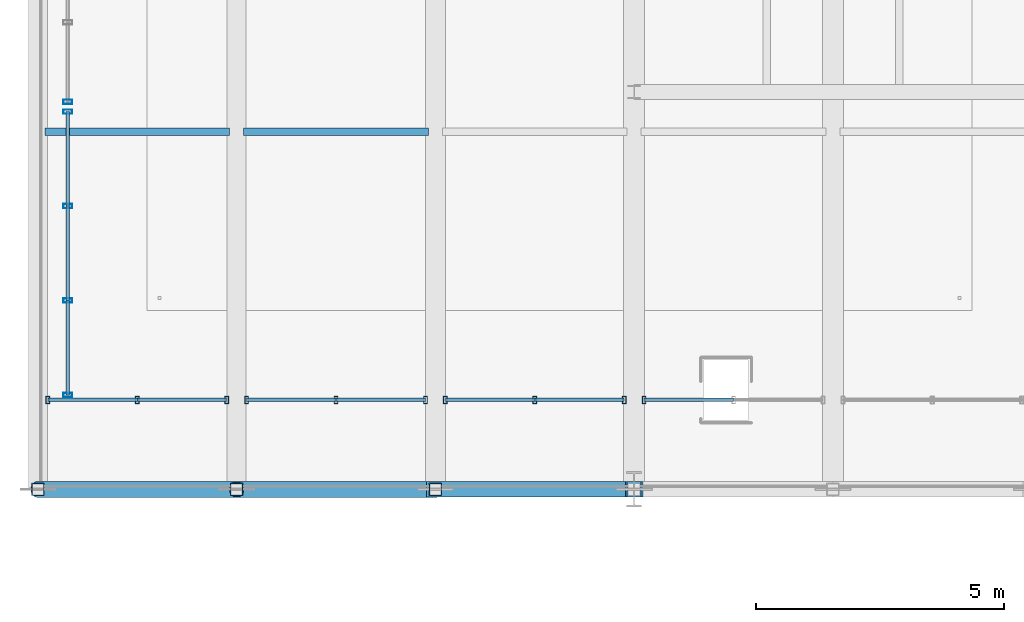
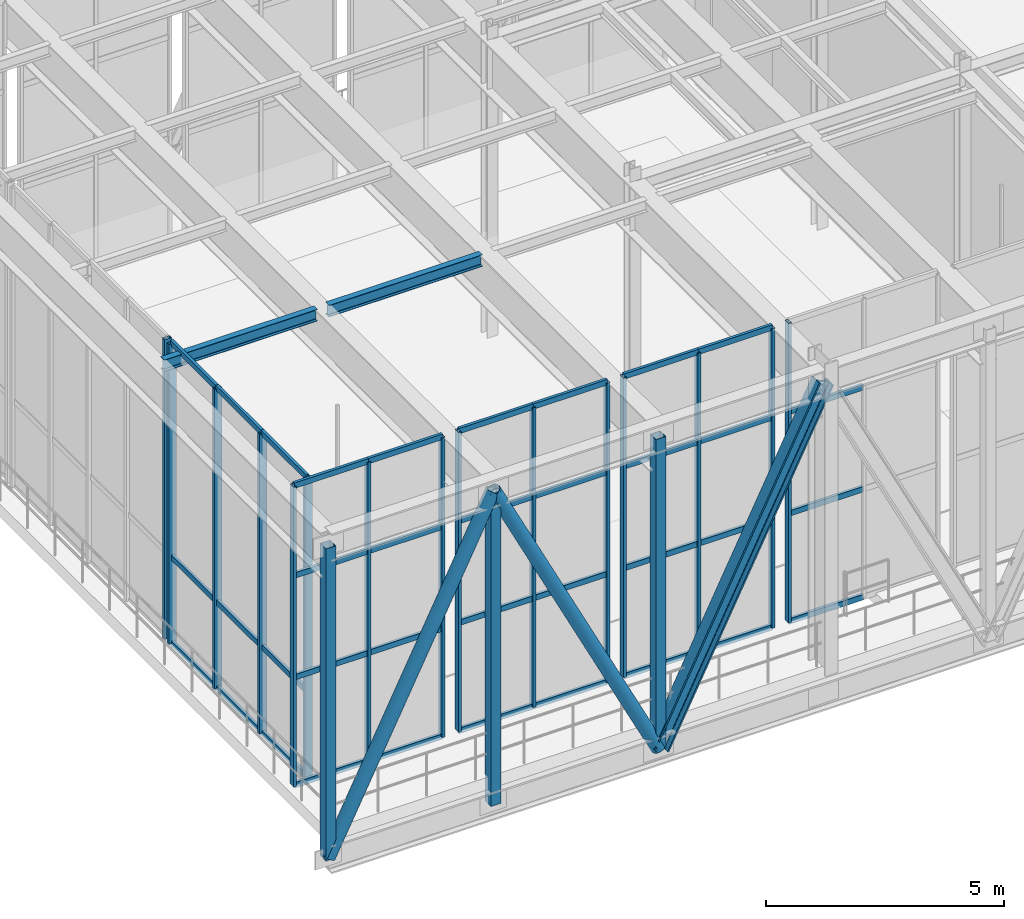
# One storey, part 20 of 138: 57 members, 2 beams, 6 elements without a shape of their own.
"""IFC4 building model written with IfcOpenShell, lengths in metres."""

from ifc_helpers import new_model, si_unit, direction, frame, origin, origin_2d, place, context, subcontext, project, spatial, hollow_rectangle, hollow_circle, i_section, extrude, material, material_profile, profile_set, type_object, element, aggregate, save


model = new_model("IFC4")

# Units and contexts
model_context = context("Model", 3, precision=1e-05, world=origin(), true_north=direction((0.0, 1.0)))
body_context = subcontext(model_context, "Body", "Model", "MODEL_VIEW")
ifc_project = project(units=[si_unit("LENGTHUNIT", "METRE"), si_unit("AREAUNIT", "SQUARE_METRE"), si_unit("VOLUMEUNIT", "CUBIC_METRE"), si_unit("PLANEANGLEUNIT", "RADIAN"), si_unit("MASSUNIT", "GRAM", prefix="KILO")], contexts=[model_context])

# Site, building, storey
site_placement = place(None, origin())
site = spatial("IfcSite", under=ifc_project, at=site_placement, CompositionType="ELEMENT")
building_placement = place(site_placement, origin())
building = spatial("IfcBuilding", under=site, at=building_placement, Name="Sundkrona Museum", CompositionType="ELEMENT")
storey_placement = place(building_placement, frame((0.0, 0.0, 9.60009765625)))
storey = spatial("IfcBuildingStorey", under=building, at=storey_placement, Name="L02", CompositionType="ELEMENT", Elevation=9.60009765625)

# Beams
ifc_material_1 = material(Name="Steel S355J2", Category="steel")
ifc_material_profile_1 = material_profile(ifc_material_1, i_section(OverallWidth=0.14990234375, OverallDepth=0.300048828125, WebThickness=0.007080078125, FlangeThickness=0.0107421875, FilletRadius=0.014892578125, at=origin_2d()), Name="IPE 300")
ifc_profile_set_1 = profile_set([ifc_material_profile_1], Name="Steel S355J2")
beam_type = type_object("IfcBeamType", Name="J-IPE300", PredefinedType="JOIST", material=ifc_profile_set_1)
for number, where, z_axis, x_axis, name in (
    (1, (4.139892578125, 39.199951171875, 7.52490234375), (1.0, 0.0, 0.0), (0.0, 1.0, 0.0), "L02 Cantilever Floor Joist"),
    (2, (8.139892578125, 39.199951171875, 7.52490234375), (1.0, 0.0, 0.0), (0.0, 1.0, 0.0), "L02 Cantilever Floor Joist"),
):
    element("IfcBeam", number, at=place(storey_placement, frame(where, z_axis=z_axis, x_axis=x_axis)), inside=storey, type_object=beam_type, Name=name, PredefinedType="JOIST", context=body_context, shape_type="SweptSolid", body=[
        extrude(i_section(OverallWidth=0.14990234375, OverallDepth=0.300048828125, WebThickness=0.007080078125, FlangeThickness=0.0107421875, FilletRadius=0.014892578125, at=origin_2d()), origin(), (0.0, 0.0, 1.0), 3.72021484375),
    ])

# Curtain wall, members
ifc_material_2 = material(Name="Unitised Aluminium-Steel and Ceramic-Clad Curtain Walling", Category="steel")
curtain_wall_type_1 = type_object("IfcCurtainWallType", Name="CW-CV-36x74", PredefinedType="NOTDEFINED", material=ifc_material_2)
curtain_wall_1_placement = place(storey_placement, origin())
curtain_wall_1 = element("IfcCurtainWall", 3, at=curtain_wall_1_placement, inside=storey, type_object=curtain_wall_type_1, Name="L02 Curtain Wall CW-L02-142", PredefinedType="NOTDEFINED")
ifc_material_3 = material(Name="Aluminium EN AW-6060 T66", Category="aluminium")
ifc_material_profile_2 = material_profile(ifc_material_3, hollow_rectangle(XDim=0.074951171875, YDim=0.14990234375, WallThickness=0.00634765625, at=origin_2d()), Name="RHS 150x75x6.3")
ifc_profile_set_2 = profile_set([ifc_material_profile_2], Name="Aluminium EN AW-6060 T66")
member_type_1 = type_object("IfcMemberType", Name="ML-150", PredefinedType="MULLION", material=ifc_profile_set_2)
member_1_placement = place(storey_placement, frame((4.199951171875, 33.800048828125, -0.004150390625), z_axis=(0.0, 0.0, 1.0), x_axis=(1.0, 0.0, 0.0)))
member_1 = element("IfcMember", 4, at=member_1_placement, type_object=member_type_1, Name="CW-L02-142 Mullion 01", PredefinedType="MULLION", context=body_context, shape_type="SweptSolid", body=[
    extrude(hollow_rectangle(XDim=0.074951171875, YDim=0.14990234375, WallThickness=0.00634765625, at=origin_2d()), origin(), (0.0, 0.0, 1.0), 7.68310546875),
])
member_2_placement = place(storey_placement, frame((6.0, 33.800048828125, -0.004150390625), z_axis=(0.0, 0.0, 1.0), x_axis=(1.0, 0.0, 0.0)))
member_2 = element("IfcMember", 5, at=member_2_placement, type_object=member_type_1, Name="CW-L02-142 Mullion 02", PredefinedType="MULLION", context=body_context, shape_type="SweptSolid", body=[
    extrude(hollow_rectangle(XDim=0.074951171875, YDim=0.14990234375, WallThickness=0.00634765625, at=origin_2d()), origin(), (0.0, 0.0, 1.0), 7.68310546875),
])
member_3_placement = place(storey_placement, frame((7.800048828125, 33.800048828125, -0.004150390625), z_axis=(0.0, 0.0, 1.0), x_axis=(1.0, 0.0, 0.0)))
member_3 = element("IfcMember", 6, at=member_3_placement, type_object=member_type_1, Name="CW-L02-142 Mullion 03", PredefinedType="MULLION", context=body_context, shape_type="SweptSolid", body=[
    extrude(hollow_rectangle(XDim=0.074951171875, YDim=0.14990234375, WallThickness=0.00634765625, at=origin_2d()), origin(), (0.0, 0.0, 1.0), 7.68310546875),
])

curtain_wall_2_placement = place(storey_placement, origin())
curtain_wall_2 = element("IfcCurtainWall", 7, at=curtain_wall_2_placement, inside=storey, type_object=curtain_wall_type_1, Name="L02 Curtain Wall CW-L02-144", PredefinedType="NOTDEFINED")
member_4_placement = place(storey_placement, frame((8.199951171875, 33.800048828125, -0.004150390625), z_axis=(0.0, 0.0, 1.0), x_axis=(1.0, 0.0, 0.0)))
member_4 = element("IfcMember", 8, at=member_4_placement, type_object=member_type_1, Name="CW-L02-144 Mullion 01", PredefinedType="MULLION", context=body_context, shape_type="SweptSolid", body=[
    extrude(hollow_rectangle(XDim=0.074951171875, YDim=0.14990234375, WallThickness=0.00634765625, at=origin_2d()), origin(), (0.0, 0.0, 1.0), 7.68310546875),
])
member_5_placement = place(storey_placement, frame((10.0, 33.800048828125, -0.004150390625), z_axis=(0.0, 0.0, 1.0), x_axis=(1.0, 0.0, 0.0)))
member_5 = element("IfcMember", 9, at=member_5_placement, type_object=member_type_1, Name="CW-L02-144 Mullion 02", PredefinedType="MULLION", context=body_context, shape_type="SweptSolid", body=[
    extrude(hollow_rectangle(XDim=0.074951171875, YDim=0.14990234375, WallThickness=0.00634765625, at=origin_2d()), origin(), (0.0, 0.0, 1.0), 7.68310546875),
])
member_6_placement = place(storey_placement, frame((11.800048828125, 33.800048828125, -0.004150390625), z_axis=(0.0, 0.0, 1.0), x_axis=(1.0, 0.0, 0.0)))
member_6 = element("IfcMember", 10, at=member_6_placement, type_object=member_type_1, Name="CW-L02-144 Mullion 03", PredefinedType="MULLION", context=body_context, shape_type="SweptSolid", body=[
    extrude(hollow_rectangle(XDim=0.074951171875, YDim=0.14990234375, WallThickness=0.00634765625, at=origin_2d()), origin(), (0.0, 0.0, 1.0), 7.68310546875),
])

curtain_wall_3_placement = place(storey_placement, origin())
curtain_wall_3 = element("IfcCurtainWall", 11, at=curtain_wall_3_placement, inside=storey, type_object=curtain_wall_type_1, Name="L02 Curtain Wall CW-L02-146", PredefinedType="NOTDEFINED")
member_7_placement = place(storey_placement, frame((12.199951171875, 33.800048828125, -0.004150390625), z_axis=(0.0, 0.0, 1.0), x_axis=(1.0, 0.0, 0.0)))
member_7 = element("IfcMember", 12, at=member_7_placement, type_object=member_type_1, Name="CW-L02-146 Mullion 01", PredefinedType="MULLION", context=body_context, shape_type="SweptSolid", body=[
    extrude(hollow_rectangle(XDim=0.074951171875, YDim=0.14990234375, WallThickness=0.00634765625, at=origin_2d()), origin(), (0.0, 0.0, 1.0), 7.68310546875),
])
member_8_placement = place(storey_placement, frame((14.0, 33.800048828125, -0.004150390625), z_axis=(0.0, 0.0, 1.0), x_axis=(1.0, 0.0, 0.0)))
member_8 = element("IfcMember", 13, at=member_8_placement, type_object=member_type_1, Name="CW-L02-146 Mullion 02", PredefinedType="MULLION", context=body_context, shape_type="SweptSolid", body=[
    extrude(hollow_rectangle(XDim=0.074951171875, YDim=0.14990234375, WallThickness=0.00634765625, at=origin_2d()), origin(), (0.0, 0.0, 1.0), 7.68310546875),
])
member_9_placement = place(storey_placement, frame((15.800048828125, 33.800048828125, -0.004150390625), z_axis=(0.0, 0.0, 1.0), x_axis=(1.0, 0.0, 0.0)))
member_9 = element("IfcMember", 14, at=member_9_placement, type_object=member_type_1, Name="CW-L02-146 Mullion 03", PredefinedType="MULLION", context=body_context, shape_type="SweptSolid", body=[
    extrude(hollow_rectangle(XDim=0.074951171875, YDim=0.14990234375, WallThickness=0.00634765625, at=origin_2d()), origin(), (0.0, 0.0, 1.0), 7.68310546875),
])

# Curtain wall, member
curtain_wall_4_placement = place(storey_placement, origin())
curtain_wall_4 = element("IfcCurtainWall", 15, at=curtain_wall_4_placement, inside=storey, type_object=curtain_wall_type_1, Name="L02 Curtain Wall CW-L02-148", PredefinedType="NOTDEFINED")
member_10_placement = place(storey_placement, frame((16.199951171875, 33.800048828125, -0.004150390625), z_axis=(0.0, 0.0, 1.0), x_axis=(1.0, 0.0, 0.0)))
member_10 = element("IfcMember", 16, at=member_10_placement, type_object=member_type_1, Name="CW-L02-148 Mullion 01", PredefinedType="MULLION", context=body_context, shape_type="SweptSolid", body=[
    extrude(hollow_rectangle(XDim=0.074951171875, YDim=0.14990234375, WallThickness=0.00634765625, at=origin_2d()), origin(), (0.0, 0.0, 1.0), 7.68310546875),
])

# Curtain wall, members
curtain_wall_type_2 = type_object("IfcCurtainWallType", Name="CW-CV-68x74", PredefinedType="NOTDEFINED", material=ifc_material_2)
curtain_wall_5_placement = place(storey_placement, origin())
curtain_wall_5 = element("IfcCurtainWall", 17, at=curtain_wall_5_placement, inside=storey, type_object=curtain_wall_type_2, Name="L02 Curtain Wall CW-CV-TIP-L02-33", PredefinedType="NOTDEFINED")
ifc_material_profile_3 = material_profile(ifc_material_3, hollow_rectangle(XDim=0.090087890625, YDim=0.179931640625, WallThickness=0.00634765625, at=origin_2d()), Name="RHS 180x90x6.3")
ifc_profile_set_3 = profile_set([ifc_material_profile_3], Name="Aluminium EN AW-6060 T66")
member_type_2 = type_object("IfcMemberType", Name="ML-180", PredefinedType="MULLION", material=ifc_profile_set_3)
member_11_placement = place(storey_placement, frame((4.60009765625, 33.89990234375, -0.004150390625), z_axis=(0.0, 0.0, 1.0), x_axis=(0.0, 1.0, 0.0)))
member_11 = element("IfcMember", 18, at=member_11_placement, type_object=member_type_2, Name="CW-CV-TIP-L02-33 Mullion 01", PredefinedType="MULLION", context=body_context, shape_type="SweptSolid", body=[
    extrude(hollow_rectangle(XDim=0.090087890625, YDim=0.179931640625, WallThickness=0.00634765625, at=origin_2d()), origin(), (0.0, 0.0, 1.0), 7.68310546875),
])
member_12_placement = place(storey_placement, frame((4.60009765625, 35.800048828125, -0.004150390625), z_axis=(0.0, 0.0, 1.0), x_axis=(0.0, 1.0, 0.0)))
member_12 = element("IfcMember", 19, at=member_12_placement, type_object=member_type_2, Name="CW-CV-TIP-L02-33 Mullion 02", PredefinedType="MULLION", context=body_context, shape_type="SweptSolid", body=[
    extrude(hollow_rectangle(XDim=0.090087890625, YDim=0.179931640625, WallThickness=0.00634765625, at=origin_2d()), origin(), (0.0, 0.0, 1.0), 7.68310546875),
])
member_13_placement = place(storey_placement, frame((4.60009765625, 37.699951171875, -0.004150390625), z_axis=(0.0, 0.0, 1.0), x_axis=(0.0, 1.0, 0.0)))
member_13 = element("IfcMember", 20, at=member_13_placement, type_object=member_type_2, Name="CW-CV-TIP-L02-33 Mullion 03", PredefinedType="MULLION", context=body_context, shape_type="SweptSolid", body=[
    extrude(hollow_rectangle(XDim=0.090087890625, YDim=0.179931640625, WallThickness=0.00634765625, at=origin_2d()), origin(), (0.0, 0.0, 1.0), 7.68310546875),
])
member_14_placement = place(storey_placement, frame((4.60009765625, 39.60009765625, -0.004150390625), z_axis=(0.0, 0.0, 1.0), x_axis=(0.0, 1.0, 0.0)))
member_14 = element("IfcMember", 21, at=member_14_placement, type_object=member_type_2, Name="CW-CV-TIP-L02-33 Mullion 04", PredefinedType="MULLION", context=body_context, shape_type="SweptSolid", body=[
    extrude(hollow_rectangle(XDim=0.090087890625, YDim=0.179931640625, WallThickness=0.00634765625, at=origin_2d()), origin(), (0.0, 0.0, 1.0), 7.68310546875),
])

# Curtain wall, member
curtain_wall_6_placement = place(storey_placement, origin())
curtain_wall_6 = element("IfcCurtainWall", 22, at=curtain_wall_6_placement, inside=storey, type_object=curtain_wall_type_2, Name="L02 Curtain Wall CW-CV-TIP-L02-39", PredefinedType="NOTDEFINED")
member_15_placement = place(storey_placement, frame((4.60009765625, 39.800048828125, -0.004150390625), z_axis=(0.0, 0.0, 1.0), x_axis=(0.0, 1.0, 0.0)))
member_15 = element("IfcMember", 23, at=member_15_placement, type_object=member_type_2, Name="CW-CV-TIP-L02-39 Mullion 01", PredefinedType="MULLION", context=body_context, shape_type="SweptSolid", body=[
    extrude(hollow_rectangle(XDim=0.090087890625, YDim=0.179931640625, WallThickness=0.00634765625, at=origin_2d()), origin(), (0.0, 0.0, 1.0), 7.68310546875),
])
aggregate(curtain_wall_6, [member_15])

# Members
ifc_material_4 = material(Name="Steel S460M", Category="steel")
ifc_material_profile_4 = material_profile(ifc_material_4, hollow_circle(Radius=0.161865234375, WallThickness=0.01611328125, at=origin_2d()), Name="CHS 323.9x16.0")
ifc_profile_set_4 = profile_set([ifc_material_profile_4], Name="Steel S460M")
member_type_3 = type_object("IfcMemberType", Name="ST-CHS324", PredefinedType="STRUT", material=ifc_profile_set_4)
for number, where, z_axis, x_axis, name in (
    (24, (4.0, 32.0, -0.68017578125), (0.4472135955, 0.0, 0.894427191), (0.0, 1.0, 0.0), "TRS-1 Cantilever Transfer Truss S Web Diagonal 1"),
    (25, (8.0, 32.0, 7.31982421875), (0.4472135955, 0.0, -0.894427191), (0.0, 1.0, 0.0), "TRS-1 Cantilever Transfer Truss S Web Diagonal 2"),
):
    element("IfcMember", number, at=place(storey_placement, frame(where, z_axis=z_axis, x_axis=x_axis)), inside=storey, type_object=member_type_3, Name=name, PredefinedType="STRUT", context=body_context, shape_type="SweptSolid", body=[
        extrude(hollow_circle(Radius=0.161865234375, WallThickness=0.01611328125, at=origin_2d()), origin(), (0.0, 0.0, 1.0), 8.9443359375),
    ])
ifc_material_profile_5 = material_profile(ifc_material_4, i_section(OverallWidth=0.30810546875, OverallDepth=0.39501953125, WebThickness=0.02099609375, FlangeThickness=0.0400390625, FilletRadius=0.027099609375, at=origin_2d()), Name="HEM 360")
ifc_profile_set_5 = profile_set([ifc_material_profile_5], Name="Steel S460M")
member_type_4 = type_object("IfcMemberType", Name="ST-HEM360", PredefinedType="STRUT", material=ifc_profile_set_5)
member_16_placement = place(storey_placement, frame((12.0, 32.0, -0.68017578125), z_axis=(0.4472135955, 0.0, 0.894427191), x_axis=(0.0, 1.0, 0.0)))
element("IfcMember", 26, at=member_16_placement, inside=storey, type_object=member_type_4, Name="TRS-1 Cantilever Transfer Truss S Web Diagonal 3", PredefinedType="STRUT", context=body_context, shape_type="SweptSolid", body=[
    extrude(i_section(OverallWidth=0.30810546875, OverallDepth=0.39501953125, WebThickness=0.02099609375, FlangeThickness=0.0400390625, FilletRadius=0.027099609375, at=origin_2d()), origin(), (0.0, 0.0, 1.0), 8.9443359375),
])
ifc_material_profile_6 = material_profile(ifc_material_4, hollow_rectangle(XDim=0.25, YDim=0.25, WallThickness=0.012451171875, at=origin_2d()), Name="SHS 250x250x12.5")
ifc_profile_set_6 = profile_set([ifc_material_profile_6], Name="Steel S460M")
member_type_5 = type_object("IfcMemberType", Name="ST-SHS250", PredefinedType="STRUT", material=ifc_profile_set_6)
for number, where, z_axis, x_axis, name in (
    (27, (4.0, 32.0, -0.68017578125), (0.0, 0.0, 1.0), (1.0, 0.0, 0.0), "TRS-1 Cantilever Transfer Truss S Vertical Post 1"),
    (28, (8.0, 32.0, -0.68017578125), (0.0, 0.0, 1.0), (1.0, 0.0, 0.0), "TRS-1 Cantilever Transfer Truss S Vertical Post 2"),
    (29, (12.0, 32.0, -0.68017578125), (0.0, 0.0, 1.0), (1.0, 0.0, 0.0), "TRS-1 Cantilever Transfer Truss S Vertical Post 3"),
):
    element("IfcMember", number, at=place(storey_placement, frame(where, z_axis=z_axis, x_axis=x_axis)), inside=storey, type_object=member_type_5, Name=name, PredefinedType="STRUT", context=body_context, shape_type="SweptSolid", body=[
        extrude(hollow_rectangle(XDim=0.25, YDim=0.25, WallThickness=0.012451171875, at=origin_2d()), origin(), (0.0, 0.0, 1.0), 8.0),
    ])

# Member
ifc_material_profile_7 = material_profile(ifc_material_3, hollow_rectangle(XDim=0.070068359375, YDim=0.139892578125, WallThickness=0.0048828125, at=origin_2d()), Name="RHS 140x70x5.0")
ifc_profile_set_7 = profile_set([ifc_material_profile_7], Name="Aluminium EN AW-6060 T66")
member_type_6 = type_object("IfcMemberType", Name="TR-140", PredefinedType="USERDEFINED", material=ifc_profile_set_7)
member_17_placement = place(storey_placement, frame((4.199951171875, 33.800048828125, -0.004150390625), z_axis=(1.0, 0.0, 0.0), x_axis=(0.0, 1.0, 0.0)))
member_17 = element("IfcMember", 30, at=member_17_placement, type_object=member_type_6, Name="CW-L02-142 Transom 01", ObjectType="TRANSOM", PredefinedType="USERDEFINED", context=body_context, shape_type="SweptSolid", body=[
    extrude(hollow_rectangle(XDim=0.070068359375, YDim=0.139892578125, WallThickness=0.0048828125, at=origin_2d()), origin(), (0.0, 0.0, 1.0), 1.800048828125),
])

member_18_placement = place(storey_placement, frame((4.199951171875, 33.800048828125, 2.762939453125), z_axis=(1.0, 0.0, 0.0), x_axis=(0.0, 1.0, 0.0)))
member_18 = element("IfcMember", 31, at=member_18_placement, type_object=member_type_6, Name="CW-L02-142 Transom 02", ObjectType="TRANSOM", PredefinedType="USERDEFINED", context=body_context, shape_type="SweptSolid", body=[
    extrude(hollow_rectangle(XDim=0.070068359375, YDim=0.139892578125, WallThickness=0.0048828125, at=origin_2d()), origin(), (0.0, 0.0, 1.0), 1.800048828125),
])

member_19_placement = place(storey_placement, frame((4.199951171875, 33.800048828125, 5.371826171875), z_axis=(1.0, 0.0, 0.0), x_axis=(0.0, 1.0, 0.0)))
member_19 = element("IfcMember", 32, at=member_19_placement, type_object=member_type_6, Name="CW-L02-142 Transom 03", ObjectType="TRANSOM", PredefinedType="USERDEFINED", context=body_context, shape_type="SweptSolid", body=[
    extrude(hollow_rectangle(XDim=0.070068359375, YDim=0.139892578125, WallThickness=0.0048828125, at=origin_2d()), origin(), (0.0, 0.0, 1.0), 1.800048828125),
])

member_20_placement = place(storey_placement, frame((4.199951171875, 33.800048828125, 7.678955078125), z_axis=(1.0, 0.0, 0.0), x_axis=(0.0, 1.0, 0.0)))
member_20 = element("IfcMember", 33, at=member_20_placement, type_object=member_type_6, Name="CW-L02-142 Transom 04", ObjectType="TRANSOM", PredefinedType="USERDEFINED", context=body_context, shape_type="SweptSolid", body=[
    extrude(hollow_rectangle(XDim=0.070068359375, YDim=0.139892578125, WallThickness=0.0048828125, at=origin_2d()), origin(), (0.0, 0.0, 1.0), 1.800048828125),
])

member_21_placement = place(storey_placement, frame((6.0, 33.800048828125, -0.004150390625), z_axis=(1.0, 0.0, 0.0), x_axis=(0.0, 1.0, 0.0)))
member_21 = element("IfcMember", 34, at=member_21_placement, type_object=member_type_6, Name="CW-L02-142 Transom 05", ObjectType="TRANSOM", PredefinedType="USERDEFINED", context=body_context, shape_type="SweptSolid", body=[
    extrude(hollow_rectangle(XDim=0.070068359375, YDim=0.139892578125, WallThickness=0.0048828125, at=origin_2d()), origin(), (0.0, 0.0, 1.0), 1.800048828125),
])

member_22_placement = place(storey_placement, frame((6.0, 33.800048828125, 2.762939453125), z_axis=(1.0, 0.0, 0.0), x_axis=(0.0, 1.0, 0.0)))
member_22 = element("IfcMember", 35, at=member_22_placement, type_object=member_type_6, Name="CW-L02-142 Transom 06", ObjectType="TRANSOM", PredefinedType="USERDEFINED", context=body_context, shape_type="SweptSolid", body=[
    extrude(hollow_rectangle(XDim=0.070068359375, YDim=0.139892578125, WallThickness=0.0048828125, at=origin_2d()), origin(), (0.0, 0.0, 1.0), 1.800048828125),
])

member_23_placement = place(storey_placement, frame((6.0, 33.800048828125, 5.371826171875), z_axis=(1.0, 0.0, 0.0), x_axis=(0.0, 1.0, 0.0)))
member_23 = element("IfcMember", 36, at=member_23_placement, type_object=member_type_6, Name="CW-L02-142 Transom 07", ObjectType="TRANSOM", PredefinedType="USERDEFINED", context=body_context, shape_type="SweptSolid", body=[
    extrude(hollow_rectangle(XDim=0.070068359375, YDim=0.139892578125, WallThickness=0.0048828125, at=origin_2d()), origin(), (0.0, 0.0, 1.0), 1.800048828125),
])

member_24_placement = place(storey_placement, frame((6.0, 33.800048828125, 7.678955078125), z_axis=(1.0, 0.0, 0.0), x_axis=(0.0, 1.0, 0.0)))
member_24 = element("IfcMember", 37, at=member_24_placement, type_object=member_type_6, Name="CW-L02-142 Transom 08", ObjectType="TRANSOM", PredefinedType="USERDEFINED", context=body_context, shape_type="SweptSolid", body=[
    extrude(hollow_rectangle(XDim=0.070068359375, YDim=0.139892578125, WallThickness=0.0048828125, at=origin_2d()), origin(), (0.0, 0.0, 1.0), 1.800048828125),
])

aggregate(curtain_wall_1, [member_1, member_2, member_3, member_17, member_18, member_19, member_20, member_21, member_22, member_23, member_24])

member_25_placement = place(storey_placement, frame((8.199951171875, 33.800048828125, -0.004150390625), z_axis=(1.0, 0.0, 0.0), x_axis=(0.0, 1.0, 0.0)))
member_25 = element("IfcMember", 38, at=member_25_placement, type_object=member_type_6, Name="CW-L02-144 Transom 01", ObjectType="TRANSOM", PredefinedType="USERDEFINED", context=body_context, shape_type="SweptSolid", body=[
    extrude(hollow_rectangle(XDim=0.070068359375, YDim=0.139892578125, WallThickness=0.0048828125, at=origin_2d()), origin(), (0.0, 0.0, 1.0), 1.800048828125),
])

member_26_placement = place(storey_placement, frame((8.199951171875, 33.800048828125, 2.762939453125), z_axis=(1.0, 0.0, 0.0), x_axis=(0.0, 1.0, 0.0)))
member_26 = element("IfcMember", 39, at=member_26_placement, type_object=member_type_6, Name="CW-L02-144 Transom 02", ObjectType="TRANSOM", PredefinedType="USERDEFINED", context=body_context, shape_type="SweptSolid", body=[
    extrude(hollow_rectangle(XDim=0.070068359375, YDim=0.139892578125, WallThickness=0.0048828125, at=origin_2d()), origin(), (0.0, 0.0, 1.0), 1.800048828125),
])

member_27_placement = place(storey_placement, frame((8.199951171875, 33.800048828125, 5.371826171875), z_axis=(1.0, 0.0, 0.0), x_axis=(0.0, 1.0, 0.0)))
member_27 = element("IfcMember", 40, at=member_27_placement, type_object=member_type_6, Name="CW-L02-144 Transom 03", ObjectType="TRANSOM", PredefinedType="USERDEFINED", context=body_context, shape_type="SweptSolid", body=[
    extrude(hollow_rectangle(XDim=0.070068359375, YDim=0.139892578125, WallThickness=0.0048828125, at=origin_2d()), origin(), (0.0, 0.0, 1.0), 1.800048828125),
])

member_28_placement = place(storey_placement, frame((8.199951171875, 33.800048828125, 7.678955078125), z_axis=(1.0, 0.0, 0.0), x_axis=(0.0, 1.0, 0.0)))
member_28 = element("IfcMember", 41, at=member_28_placement, type_object=member_type_6, Name="CW-L02-144 Transom 04", ObjectType="TRANSOM", PredefinedType="USERDEFINED", context=body_context, shape_type="SweptSolid", body=[
    extrude(hollow_rectangle(XDim=0.070068359375, YDim=0.139892578125, WallThickness=0.0048828125, at=origin_2d()), origin(), (0.0, 0.0, 1.0), 1.800048828125),
])

member_29_placement = place(storey_placement, frame((10.0, 33.800048828125, -0.004150390625), z_axis=(1.0, 0.0, 0.0), x_axis=(0.0, 1.0, 0.0)))
member_29 = element("IfcMember", 42, at=member_29_placement, type_object=member_type_6, Name="CW-L02-144 Transom 05", ObjectType="TRANSOM", PredefinedType="USERDEFINED", context=body_context, shape_type="SweptSolid", body=[
    extrude(hollow_rectangle(XDim=0.070068359375, YDim=0.139892578125, WallThickness=0.0048828125, at=origin_2d()), origin(), (0.0, 0.0, 1.0), 1.800048828125),
])

member_30_placement = place(storey_placement, frame((10.0, 33.800048828125, 2.762939453125), z_axis=(1.0, 0.0, 0.0), x_axis=(0.0, 1.0, 0.0)))
member_30 = element("IfcMember", 43, at=member_30_placement, type_object=member_type_6, Name="CW-L02-144 Transom 06", ObjectType="TRANSOM", PredefinedType="USERDEFINED", context=body_context, shape_type="SweptSolid", body=[
    extrude(hollow_rectangle(XDim=0.070068359375, YDim=0.139892578125, WallThickness=0.0048828125, at=origin_2d()), origin(), (0.0, 0.0, 1.0), 1.800048828125),
])

member_31_placement = place(storey_placement, frame((10.0, 33.800048828125, 5.371826171875), z_axis=(1.0, 0.0, 0.0), x_axis=(0.0, 1.0, 0.0)))
member_31 = element("IfcMember", 44, at=member_31_placement, type_object=member_type_6, Name="CW-L02-144 Transom 07", ObjectType="TRANSOM", PredefinedType="USERDEFINED", context=body_context, shape_type="SweptSolid", body=[
    extrude(hollow_rectangle(XDim=0.070068359375, YDim=0.139892578125, WallThickness=0.0048828125, at=origin_2d()), origin(), (0.0, 0.0, 1.0), 1.800048828125),
])

member_32_placement = place(storey_placement, frame((10.0, 33.800048828125, 7.678955078125), z_axis=(1.0, 0.0, 0.0), x_axis=(0.0, 1.0, 0.0)))
member_32 = element("IfcMember", 45, at=member_32_placement, type_object=member_type_6, Name="CW-L02-144 Transom 08", ObjectType="TRANSOM", PredefinedType="USERDEFINED", context=body_context, shape_type="SweptSolid", body=[
    extrude(hollow_rectangle(XDim=0.070068359375, YDim=0.139892578125, WallThickness=0.0048828125, at=origin_2d()), origin(), (0.0, 0.0, 1.0), 1.800048828125),
])

aggregate(curtain_wall_2, [member_4, member_5, member_6, member_25, member_26, member_27, member_28, member_29, member_30, member_31, member_32])

member_33_placement = place(storey_placement, frame((12.199951171875, 33.800048828125, -0.004150390625), z_axis=(1.0, 0.0, 0.0), x_axis=(0.0, 1.0, 0.0)))
member_33 = element("IfcMember", 46, at=member_33_placement, type_object=member_type_6, Name="CW-L02-146 Transom 01", ObjectType="TRANSOM", PredefinedType="USERDEFINED", context=body_context, shape_type="SweptSolid", body=[
    extrude(hollow_rectangle(XDim=0.070068359375, YDim=0.139892578125, WallThickness=0.0048828125, at=origin_2d()), origin(), (0.0, 0.0, 1.0), 1.800048828125),
])

member_34_placement = place(storey_placement, frame((12.199951171875, 33.800048828125, 2.762939453125), z_axis=(1.0, 0.0, 0.0), x_axis=(0.0, 1.0, 0.0)))
member_34 = element("IfcMember", 47, at=member_34_placement, type_object=member_type_6, Name="CW-L02-146 Transom 02", ObjectType="TRANSOM", PredefinedType="USERDEFINED", context=body_context, shape_type="SweptSolid", body=[
    extrude(hollow_rectangle(XDim=0.070068359375, YDim=0.139892578125, WallThickness=0.0048828125, at=origin_2d()), origin(), (0.0, 0.0, 1.0), 1.800048828125),
])

member_35_placement = place(storey_placement, frame((12.199951171875, 33.800048828125, 5.371826171875), z_axis=(1.0, 0.0, 0.0), x_axis=(0.0, 1.0, 0.0)))
member_35 = element("IfcMember", 48, at=member_35_placement, type_object=member_type_6, Name="CW-L02-146 Transom 03", ObjectType="TRANSOM", PredefinedType="USERDEFINED", context=body_context, shape_type="SweptSolid", body=[
    extrude(hollow_rectangle(XDim=0.070068359375, YDim=0.139892578125, WallThickness=0.0048828125, at=origin_2d()), origin(), (0.0, 0.0, 1.0), 1.800048828125),
])

member_36_placement = place(storey_placement, frame((12.199951171875, 33.800048828125, 7.678955078125), z_axis=(1.0, 0.0, 0.0), x_axis=(0.0, 1.0, 0.0)))
member_36 = element("IfcMember", 49, at=member_36_placement, type_object=member_type_6, Name="CW-L02-146 Transom 04", ObjectType="TRANSOM", PredefinedType="USERDEFINED", context=body_context, shape_type="SweptSolid", body=[
    extrude(hollow_rectangle(XDim=0.070068359375, YDim=0.139892578125, WallThickness=0.0048828125, at=origin_2d()), origin(), (0.0, 0.0, 1.0), 1.800048828125),
])

member_37_placement = place(storey_placement, frame((14.0, 33.800048828125, -0.004150390625), z_axis=(1.0, 0.0, 0.0), x_axis=(0.0, 1.0, 0.0)))
member_37 = element("IfcMember", 50, at=member_37_placement, type_object=member_type_6, Name="CW-L02-146 Transom 05", ObjectType="TRANSOM", PredefinedType="USERDEFINED", context=body_context, shape_type="SweptSolid", body=[
    extrude(hollow_rectangle(XDim=0.070068359375, YDim=0.139892578125, WallThickness=0.0048828125, at=origin_2d()), origin(), (0.0, 0.0, 1.0), 1.800048828125),
])

member_38_placement = place(storey_placement, frame((14.0, 33.800048828125, 2.762939453125), z_axis=(1.0, 0.0, 0.0), x_axis=(0.0, 1.0, 0.0)))
member_38 = element("IfcMember", 51, at=member_38_placement, type_object=member_type_6, Name="CW-L02-146 Transom 06", ObjectType="TRANSOM", PredefinedType="USERDEFINED", context=body_context, shape_type="SweptSolid", body=[
    extrude(hollow_rectangle(XDim=0.070068359375, YDim=0.139892578125, WallThickness=0.0048828125, at=origin_2d()), origin(), (0.0, 0.0, 1.0), 1.800048828125),
])

member_39_placement = place(storey_placement, frame((14.0, 33.800048828125, 5.371826171875), z_axis=(1.0, 0.0, 0.0), x_axis=(0.0, 1.0, 0.0)))
member_39 = element("IfcMember", 52, at=member_39_placement, type_object=member_type_6, Name="CW-L02-146 Transom 07", ObjectType="TRANSOM", PredefinedType="USERDEFINED", context=body_context, shape_type="SweptSolid", body=[
    extrude(hollow_rectangle(XDim=0.070068359375, YDim=0.139892578125, WallThickness=0.0048828125, at=origin_2d()), origin(), (0.0, 0.0, 1.0), 1.800048828125),
])

member_40_placement = place(storey_placement, frame((14.0, 33.800048828125, 7.678955078125), z_axis=(1.0, 0.0, 0.0), x_axis=(0.0, 1.0, 0.0)))
member_40 = element("IfcMember", 53, at=member_40_placement, type_object=member_type_6, Name="CW-L02-146 Transom 08", ObjectType="TRANSOM", PredefinedType="USERDEFINED", context=body_context, shape_type="SweptSolid", body=[
    extrude(hollow_rectangle(XDim=0.070068359375, YDim=0.139892578125, WallThickness=0.0048828125, at=origin_2d()), origin(), (0.0, 0.0, 1.0), 1.800048828125),
])

aggregate(curtain_wall_3, [member_7, member_8, member_9, member_33, member_34, member_35, member_36, member_37, member_38, member_39, member_40])

member_41_placement = place(storey_placement, frame((16.199951171875, 33.800048828125, -0.004150390625), z_axis=(1.0, 0.0, 0.0), x_axis=(0.0, 1.0, 0.0)))
member_41 = element("IfcMember", 54, at=member_41_placement, type_object=member_type_6, Name="CW-L02-148 Transom 01", ObjectType="TRANSOM", PredefinedType="USERDEFINED", context=body_context, shape_type="SweptSolid", body=[
    extrude(hollow_rectangle(XDim=0.070068359375, YDim=0.139892578125, WallThickness=0.0048828125, at=origin_2d()), origin(), (0.0, 0.0, 1.0), 1.800048828125),
])

member_42_placement = place(storey_placement, frame((16.199951171875, 33.800048828125, 2.762939453125), z_axis=(1.0, 0.0, 0.0), x_axis=(0.0, 1.0, 0.0)))
member_42 = element("IfcMember", 55, at=member_42_placement, type_object=member_type_6, Name="CW-L02-148 Transom 02", ObjectType="TRANSOM", PredefinedType="USERDEFINED", context=body_context, shape_type="SweptSolid", body=[
    extrude(hollow_rectangle(XDim=0.070068359375, YDim=0.139892578125, WallThickness=0.0048828125, at=origin_2d()), origin(), (0.0, 0.0, 1.0), 1.800048828125),
])

member_43_placement = place(storey_placement, frame((16.199951171875, 33.800048828125, 5.371826171875), z_axis=(1.0, 0.0, 0.0), x_axis=(0.0, 1.0, 0.0)))
member_43 = element("IfcMember", 56, at=member_43_placement, type_object=member_type_6, Name="CW-L02-148 Transom 03", ObjectType="TRANSOM", PredefinedType="USERDEFINED", context=body_context, shape_type="SweptSolid", body=[
    extrude(hollow_rectangle(XDim=0.070068359375, YDim=0.139892578125, WallThickness=0.0048828125, at=origin_2d()), origin(), (0.0, 0.0, 1.0), 1.800048828125),
])

aggregate(curtain_wall_4, [member_10, member_41, member_42, member_43])

member_44_placement = place(storey_placement, frame((4.60009765625, 33.89990234375, -0.004150390625), z_axis=(0.0, 1.0, 0.0), x_axis=(-1.0, 0.0, 0.0)))
member_44 = element("IfcMember", 57, at=member_44_placement, type_object=member_type_6, Name="CW-CV-TIP-L02-33 Transom 01", ObjectType="TRANSOM", PredefinedType="USERDEFINED", context=body_context, shape_type="SweptSolid", body=[
    extrude(hollow_rectangle(XDim=0.070068359375, YDim=0.139892578125, WallThickness=0.0048828125, at=origin_2d()), origin(), (0.0, 0.0, 1.0), 1.900146484375),
])

member_45_placement = place(storey_placement, frame((4.60009765625, 33.89990234375, 2.199951171875), z_axis=(0.0, 1.0, 0.0), x_axis=(-1.0, 0.0, 0.0)))
member_45 = element("IfcMember", 58, at=member_45_placement, type_object=member_type_6, Name="CW-CV-TIP-L02-33 Transom 02", ObjectType="TRANSOM", PredefinedType="USERDEFINED", context=body_context, shape_type="SweptSolid", body=[
    extrude(hollow_rectangle(XDim=0.070068359375, YDim=0.139892578125, WallThickness=0.0048828125, at=origin_2d()), origin(), (0.0, 0.0, 1.0), 1.900146484375),
])

member_46_placement = place(storey_placement, frame((4.60009765625, 33.89990234375, 7.678955078125), z_axis=(0.0, 1.0, 0.0), x_axis=(-1.0, 0.0, 0.0)))
member_46 = element("IfcMember", 59, at=member_46_placement, type_object=member_type_6, Name="CW-CV-TIP-L02-33 Transom 03", ObjectType="TRANSOM", PredefinedType="USERDEFINED", context=body_context, shape_type="SweptSolid", body=[
    extrude(hollow_rectangle(XDim=0.070068359375, YDim=0.139892578125, WallThickness=0.0048828125, at=origin_2d()), origin(), (0.0, 0.0, 1.0), 1.900146484375),
])

member_47_placement = place(storey_placement, frame((4.60009765625, 35.800048828125, -0.004150390625), z_axis=(0.0, 1.0, 0.0), x_axis=(-1.0, 0.0, 0.0)))
member_47 = element("IfcMember", 60, at=member_47_placement, type_object=member_type_6, Name="CW-CV-TIP-L02-33 Transom 04", ObjectType="TRANSOM", PredefinedType="USERDEFINED", context=body_context, shape_type="SweptSolid", body=[
    extrude(hollow_rectangle(XDim=0.070068359375, YDim=0.139892578125, WallThickness=0.0048828125, at=origin_2d()), origin(), (0.0, 0.0, 1.0), 1.89990234375),
])

member_48_placement = place(storey_placement, frame((4.60009765625, 35.800048828125, 2.199951171875), z_axis=(0.0, 1.0, 0.0), x_axis=(-1.0, 0.0, 0.0)))
member_48 = element("IfcMember", 61, at=member_48_placement, type_object=member_type_6, Name="CW-CV-TIP-L02-33 Transom 05", ObjectType="TRANSOM", PredefinedType="USERDEFINED", context=body_context, shape_type="SweptSolid", body=[
    extrude(hollow_rectangle(XDim=0.070068359375, YDim=0.139892578125, WallThickness=0.0048828125, at=origin_2d()), origin(), (0.0, 0.0, 1.0), 1.89990234375),
])

member_49_placement = place(storey_placement, frame((4.60009765625, 35.800048828125, 7.678955078125), z_axis=(0.0, 1.0, 0.0), x_axis=(-1.0, 0.0, 0.0)))
member_49 = element("IfcMember", 62, at=member_49_placement, type_object=member_type_6, Name="CW-CV-TIP-L02-33 Transom 06", ObjectType="TRANSOM", PredefinedType="USERDEFINED", context=body_context, shape_type="SweptSolid", body=[
    extrude(hollow_rectangle(XDim=0.070068359375, YDim=0.139892578125, WallThickness=0.0048828125, at=origin_2d()), origin(), (0.0, 0.0, 1.0), 1.89990234375),
])

member_50_placement = place(storey_placement, frame((4.60009765625, 37.699951171875, -0.004150390625), z_axis=(0.0, 1.0, 0.0), x_axis=(-1.0, 0.0, 0.0)))
member_50 = element("IfcMember", 63, at=member_50_placement, type_object=member_type_6, Name="CW-CV-TIP-L02-33 Transom 07", ObjectType="TRANSOM", PredefinedType="USERDEFINED", context=body_context, shape_type="SweptSolid", body=[
    extrude(hollow_rectangle(XDim=0.070068359375, YDim=0.139892578125, WallThickness=0.0048828125, at=origin_2d()), origin(), (0.0, 0.0, 1.0), 1.900146484375),
])

member_51_placement = place(storey_placement, frame((4.60009765625, 37.699951171875, 2.199951171875), z_axis=(0.0, 1.0, 0.0), x_axis=(-1.0, 0.0, 0.0)))
member_51 = element("IfcMember", 64, at=member_51_placement, type_object=member_type_6, Name="CW-CV-TIP-L02-33 Transom 08", ObjectType="TRANSOM", PredefinedType="USERDEFINED", context=body_context, shape_type="SweptSolid", body=[
    extrude(hollow_rectangle(XDim=0.070068359375, YDim=0.139892578125, WallThickness=0.0048828125, at=origin_2d()), origin(), (0.0, 0.0, 1.0), 1.900146484375),
])

member_52_placement = place(storey_placement, frame((4.60009765625, 37.699951171875, 7.678955078125), z_axis=(0.0, 1.0, 0.0), x_axis=(-1.0, 0.0, 0.0)))
member_52 = element("IfcMember", 65, at=member_52_placement, type_object=member_type_6, Name="CW-CV-TIP-L02-33 Transom 09", ObjectType="TRANSOM", PredefinedType="USERDEFINED", context=body_context, shape_type="SweptSolid", body=[
    extrude(hollow_rectangle(XDim=0.070068359375, YDim=0.139892578125, WallThickness=0.0048828125, at=origin_2d()), origin(), (0.0, 0.0, 1.0), 1.900146484375),
])

aggregate(curtain_wall_5, [member_11, member_12, member_13, member_14, member_44, member_45, member_46, member_47, member_48, member_49, member_50, member_51, member_52])

save(model, "model.ifc")
